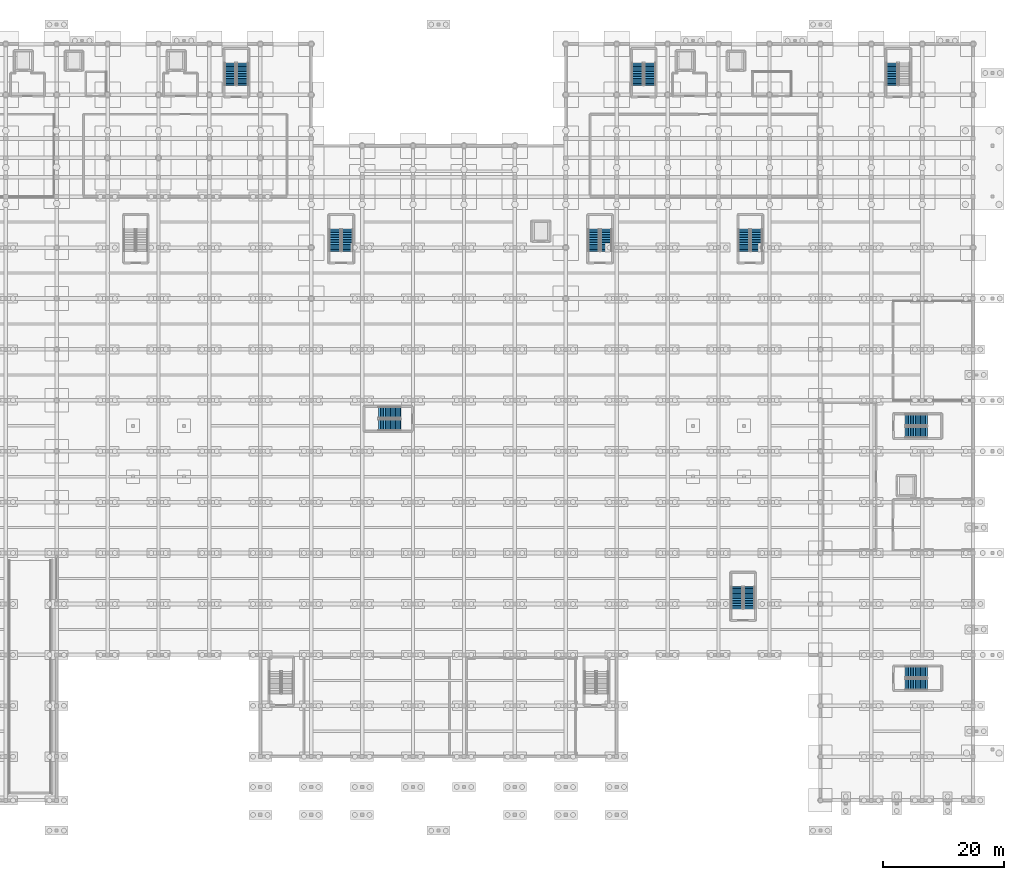
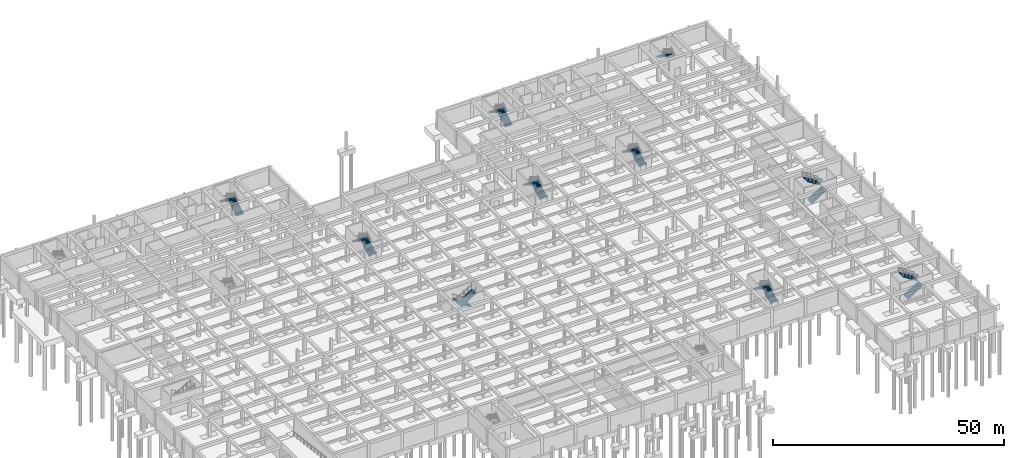
# One storey, part 32 of 51: 19 stair flights, 10 elements without a shape of their own.
"""IFC4 building model written with IfcOpenShell, lengths in metres."""

import ifcopenshell
import ifcopenshell.guid

model = None  # the IFC model being written
_history = None  # IfcOwnerHistory: only IFC2X3 demands one
_inside = {}  # id of a spatial element -> (the spatial element, [elements in it])
_under = {}  # id of a project, library or spatial element -> (it, [spatial elements below it])
_declared = {}  # id of a project -> (the project, [libraries it declares])
_typed = {}  # id of a type object -> (the type object, [elements of that type])
_made_of = {}  # id of a material, layer set ... -> (it, [elements and type objects made of it])


def new_model(schema):
    """Start an empty IFC model of exactly this schema.

    Asked for "IFC4X3", IfcOpenShell would pick the latest addendum, in which some entities
    have other attributes; the version numbers below select the first issue.
    IFC2X3 requires an IfcOwnerHistory on every rooted entity: one is made here for all.
    """
    global model, _history
    if schema == "IFC4X3":
        model = ifcopenshell.file(schema_version=(4, 3, 0, 0))
    else:
        model = ifcopenshell.file(schema=schema)
    _inside.clear()
    _under.clear()
    _declared.clear()
    _typed.clear()
    _made_of.clear()
    _history = None
    if model.schema == "IFC2X3":
        org = make("IfcOrganization", Name="unknown")
        user = make(
            "IfcPersonAndOrganization",
            ThePerson=make("IfcPerson", FamilyName="unknown"),
            TheOrganization=org,
        )
        app = make(
            "IfcApplication",
            ApplicationDeveloper=org,
            Version="unknown",
            ApplicationFullName="unknown",
            ApplicationIdentifier="unknown",
        )
        _history = make(
            "IfcOwnerHistory",
            OwningUser=user,
            OwningApplication=app,
            ChangeAction="ADDED",
            CreationDate=0,
        )
    return model


def make(cls, **values):
    """One entity of the class cls with the attributes given. An attribute that is None is left unset."""
    return model.create_entity(
        cls, **{name: value for name, value in values.items() if value is not None}
    )


def rooted(cls, **values):
    """An entity with a GlobalId (a new one), such as an element, a storey or a relation."""
    return make(cls, GlobalId=ifcopenshell.guid.new(), OwnerHistory=_history, **values)


def si_unit(unit_type, name, prefix=None):
    """IfcSIUnit, for example si_unit("LENGTHUNIT", "METRE", prefix="MILLI")."""
    return make("IfcSIUnit", UnitType=unit_type, Prefix=prefix, Name=name)


def assignment(units):
    """IfcUnitAssignment: the units of a project."""
    return None if units is None else make("IfcUnitAssignment", Units=units)


def point(xyz):
    """IfcCartesianPoint."""
    return None if xyz is None else make("IfcCartesianPoint", Coordinates=xyz)


def direction(xyz):
    """IfcDirection."""
    return None if xyz is None else make("IfcDirection", DirectionRatios=xyz)


def frame(location, z_axis=None, x_axis=None):
    """IfcAxis2Placement3D, a coordinate frame: its origin and axes. An axis left out is left unset."""
    return make(
        "IfcAxis2Placement3D",
        Location=point(location),
        Axis=direction(z_axis),
        RefDirection=direction(x_axis),
    )


def origin():
    """The frame at (0, 0, 0) with its axes left unset."""
    return frame((0.0, 0.0, 0.0))


def place(relative_to, where):
    """IfcLocalPlacement: puts the frame where relative to a parent placement (None: the world)."""
    return make(
        "IfcLocalPlacement", PlacementRelTo=relative_to, RelativePlacement=where
    )


def context(
    kind, dimensions, precision=None, world=None, true_north=None, identifier=None
):
    """IfcGeometricRepresentationContext, for example the 3D "Model" context."""
    return make(
        "IfcGeometricRepresentationContext",
        ContextIdentifier=identifier,
        ContextType=kind,
        CoordinateSpaceDimension=dimensions,
        Precision=precision,
        WorldCoordinateSystem=world,
        TrueNorth=true_north,
    )


def subcontext(parent, identifier, kind, view, scale=None):
    """IfcGeometricRepresentationSubContext, for example "Body" below "Model"."""
    return make(
        "IfcGeometricRepresentationSubContext",
        ContextIdentifier=identifier,
        ContextType=kind,
        ParentContext=parent,
        TargetScale=scale,
        TargetView=view,
    )


def project(units=None, contexts=None):
    """IfcProject with its units and contexts."""
    return rooted(
        "IfcProject",
        Name="project",
        RepresentationContexts=contexts,
        UnitsInContext=assignment(units),
    )


def spatial(cls, under=None, at=None, **own):
    """A site, building, storey or space (cls), placed at a placement, below another one or the project."""
    s = rooted(cls, ObjectPlacement=at, **own)
    if under is not None:
        _under.setdefault(under.id(), (under, []))[1].append(s)
    return s


def polyline(points):
    """IfcPolyline through the points."""
    return make("IfcPolyline", Points=[point(p) for p in points])


def outline(outer, holes=None, kind="AREA"):
    """IfcArbitraryClosedProfileDef: a profile drawn as a closed curve; with holes, ...WithVoids."""
    if holes is None:
        return make("IfcArbitraryClosedProfileDef", ProfileType=kind, OuterCurve=outer)
    return make(
        "IfcArbitraryProfileDefWithVoids",
        ProfileType=kind,
        OuterCurve=outer,
        InnerCurves=holes,
    )


def extrude(swept, where, along, depth):
    """IfcExtrudedAreaSolid: the profile swept, set in the frame where, extruded along a direction by depth."""
    return make(
        "IfcExtrudedAreaSolid",
        SweptArea=swept,
        Position=where,
        ExtrudedDirection=direction(along),
        Depth=depth,
    )


def shape(context_of_items, identifier, shape_type, items):
    """IfcShapeRepresentation: the items that make up one representation, for example the "Body"."""
    return make(
        "IfcShapeRepresentation",
        ContextOfItems=context_of_items,
        RepresentationIdentifier=identifier,
        RepresentationType=shape_type,
        Items=items,
    )


def material(Name=None, Category=None):
    """IfcMaterial."""
    return make("IfcMaterial", Name=Name, Category=Category)


def made_of(thing, what):
    """Note that an element or type object is made of a material, layer set ...; save() writes the relation."""
    if what is not None:
        _made_of.setdefault(what.id(), (what, []))[1].append(thing)
    return thing


def type_object(cls, material=None, **own):
    """A type object (cls), such as IfcWallType, which elements share."""
    return made_of(rooted(cls, **own), material)


def element(
    cls,
    number,
    at=None,
    inside=None,
    cuts=None,
    type_object=None,
    material=None,
    context=None,
    identifier="Body",
    shape_type=None,
    held_by="IfcProductDefinitionShape",
    body=None,
    shapes=None,
    **own,
):
    """One element of the class cls, such as IfcWall. Its Tag is "e" and its number.

    at: its placement. inside: the storey or other place that contains it. cuts: it is an
    opening in that element (IfcRelVoidsElement). A single representation is given by context,
    identifier, shape_type and body (its items); several are given by shapes. held_by: the class
    of the entity that holds the representations. save() writes the other relations.
    """
    e = rooted(cls, Tag="e%d" % number, ObjectPlacement=at, **own)
    if body is not None:
        shapes = [shape(context, identifier, shape_type, body)]
    if shapes is not None:
        e.Representation = make(held_by, Representations=shapes)
    if inside is not None:
        _inside.setdefault(inside.id(), (inside, []))[1].append(e)
    if cuts is not None:
        rooted(
            "IfcRelVoidsElement", RelatingBuildingElement=cuts, RelatedOpeningElement=e
        )
    if type_object is not None:
        _typed.setdefault(type_object.id(), (type_object, []))[1].append(e)
    return made_of(e, material)


def aggregate(whole, parts):
    """IfcRelAggregates: a whole, such as a stair, and the parts it consists of."""
    return rooted("IfcRelAggregates", RelatingObject=whole, RelatedObjects=parts)


def save(model, path):
    """Write the relations noted so far, then the file.

    IfcRelAggregates (storeys below a building ...), IfcRelContainedInSpatialStructure (elements
    in a storey), IfcRelDefinesByType, IfcRelAssociatesMaterial and IfcRelDeclares: one each for
    every whole, place, type object, material and project.
    """
    for whole, parts in _under.values():
        aggregate(whole, parts)
    for where, things in _inside.values():
        rooted(
            "IfcRelContainedInSpatialStructure",
            RelatedElements=things,
            RelatingStructure=where,
        )
    for kind, things in _typed.values():
        rooted("IfcRelDefinesByType", RelatedObjects=things, RelatingType=kind)
    for what, things in _made_of.values():
        rooted("IfcRelAssociatesMaterial", RelatedObjects=things, RelatingMaterial=what)
    for by, libraries in _declared.values():
        rooted("IfcRelDeclares", RelatingContext=by, RelatedDefinitions=libraries)
    model.write(path)


model = new_model("IFC4")

# Units and contexts
model_context = context("Model", 3, precision=1e-05, world=origin(), true_north=direction((0.0, 1.0)))
body_context = subcontext(model_context, "Body", "Model", "MODEL_VIEW")
ifc_project = project(units=[si_unit("LENGTHUNIT", "METRE"), si_unit("AREAUNIT", "SQUARE_METRE"), si_unit("VOLUMEUNIT", "CUBIC_METRE"), si_unit("PLANEANGLEUNIT", "RADIAN"), si_unit("MASSUNIT", "GRAM", prefix="KILO")], contexts=[model_context])

# Site, building, storey
site_placement = place(None, origin())
site = spatial("IfcSite", under=ifc_project, at=site_placement, CompositionType="ELEMENT")
building_placement = place(site_placement, origin())
building = spatial("IfcBuilding", under=site, at=building_placement, Name="Varncliffe General Hospital", CompositionType="ELEMENT")
storey_placement = place(building_placement, frame((0.0, 0.0, -4.800048828125)))
storey = spatial("IfcBuildingStorey", under=building, at=storey_placement, Name="B1", CompositionType="ELEMENT", Elevation=-4.800048828125)

# Stair, stair flights
ifc_material = material(Name="Concrete C35/45 (CSA A23.1 35 MPa)", Category="concrete")
stair_type = type_object("IfcStairType", Name="Hospital Stair Assembly ST-T01 (1850w-4800h)", PredefinedType="TWO_STRAIGHT_RUN_STAIR", material=ifc_material)
stair_1_placement = place(storey_placement, origin())
stair_1 = element("IfcStair", 1, at=stair_1_placement, inside=storey, type_object=stair_type, Name="B1 North-West Ward Exit Stair 2", PredefinedType="TWO_STRAIGHT_RUN_STAIR")
stair_flight_type = type_object("IfcStairFlightType", Name="Hospital Stair Flight FL-T01 (1850w-4800h)", PredefinedType="STRAIGHT", material=ifc_material)
stair_flight_1_placement = place(storey_placement, frame((55.875, 118.0, 0.0), z_axis=(0.0, 0.0, 1.0), x_axis=(0.0, 1.0, 0.0)))
stair_flight_1 = element("IfcStairFlight", 2, at=stair_flight_1_placement, type_object=stair_flight_type, Name="ST02 flight 1", NumberOfRisers=14, NumberOfTreads=13, PredefinedType="STRAIGHT", RiserHeight=0.171428571, TreadLength=0.28, context=body_context, shape_type="SweptSolid", body=[
    extrude(outline(polyline([(-0.02490234375, -0.14990234375), (-0.02490234375, 0.0), (0.0, 0.0), (0.0, 0.17138671875), (0.280029296875, 0.17138671875), (0.280029296875, 0.3427734375), (0.56005859375, 0.3427734375), (0.56005859375, 0.514404296875), (0.840087890625, 0.514404296875), (0.840087890625, 0.685791015625), (1.1201171875, 0.685791015625), (1.1201171875, 0.857177734375), (1.39990234375, 0.857177734375), (1.39990234375, 1.028564453125), (1.679931640625, 1.028564453125), (1.679931640625, 1.199951171875), (1.9599609375, 1.199951171875), (1.9599609375, 1.371337890625), (2.239990234375, 1.371337890625), (2.239990234375, 1.54296875), (2.52001953125, 1.54296875), (2.52001953125, 1.71435546875), (2.800048828125, 1.71435546875), (2.800048828125, 1.8857421875), (3.080078125, 1.8857421875), (3.080078125, 2.05712890625), (3.360107421875, 2.05712890625), (3.360107421875, 2.228515625), (3.639892578125, 2.228515625), (3.639892578125, 2.39990234375), (3.664794921875, 2.39990234375), (3.664794921875, 2.25), (3.639892578125, 2.052734375), (0.287109375, -0.14990234375), (-0.02490234375, -0.14990234375)])), frame((0.0, 0.925048828125, 0.0), z_axis=(0.0, -1.0, 0.0), x_axis=(1.0, 0.0, 0.0)), (0.0, 0.0, 1.0), 1.85009765625),
])
stair_flight_2_placement = place(storey_placement, frame((53.824951171875, 121.639892578125, 2.400146484375), z_axis=(0.0, 0.0, 1.0), x_axis=(0.0, -1.0, 0.0)))
stair_flight_2 = element("IfcStairFlight", 3, at=stair_flight_2_placement, type_object=stair_flight_type, Name="ST02 flight 2", NumberOfRisers=14, NumberOfTreads=13, PredefinedType="STRAIGHT", RiserHeight=0.171428571, TreadLength=0.28, context=body_context, shape_type="SweptSolid", body=[
    extrude(outline(polyline([(-0.02490234375, -0.14990234375), (-0.02490234375, 0.0), (0.0, 0.0), (0.0, 0.17138671875), (0.280029296875, 0.17138671875), (0.280029296875, 0.3427734375), (0.56005859375, 0.3427734375), (0.56005859375, 0.514404296875), (0.840087890625, 0.514404296875), (0.840087890625, 0.685791015625), (1.1201171875, 0.685791015625), (1.1201171875, 0.857177734375), (1.39990234375, 0.857177734375), (1.39990234375, 1.028564453125), (1.679931640625, 1.028564453125), (1.679931640625, 1.199951171875), (1.9599609375, 1.199951171875), (1.9599609375, 1.371337890625), (2.239990234375, 1.371337890625), (2.239990234375, 1.54296875), (2.52001953125, 1.54296875), (2.52001953125, 1.71435546875), (2.800048828125, 1.71435546875), (2.800048828125, 1.8857421875), (3.080078125, 1.8857421875), (3.080078125, 2.05712890625), (3.360107421875, 2.05712890625), (3.360107421875, 2.228515625), (3.639892578125, 2.228515625), (3.639892578125, 2.39990234375), (3.664794921875, 2.39990234375), (3.664794921875, 2.25), (3.639892578125, 2.052734375), (0.287109375, -0.14990234375), (-0.02490234375, -0.14990234375)])), frame((0.0, 0.925048828125, 0.0), z_axis=(0.0, -1.0, 0.0), x_axis=(1.0, 0.0, 0.0)), (0.0, 0.0, 1.0), 1.85009765625),
])
aggregate(stair_1, [stair_flight_1, stair_flight_2])

stair_2_placement = place(storey_placement, origin())
stair_2 = element("IfcStair", 4, at=stair_2_placement, inside=storey, type_object=stair_type, Name="B1 North-East Ward Exit Stair 3", PredefinedType="TWO_STRAIGHT_RUN_STAIR")
stair_flight_3_placement = place(storey_placement, frame((123.074951171875, 118.0, 0.0), z_axis=(0.0, 0.0, 1.0), x_axis=(0.0, 1.0, 0.0)))
stair_flight_3 = element("IfcStairFlight", 5, at=stair_flight_3_placement, type_object=stair_flight_type, Name="ST03 flight 1", NumberOfRisers=14, NumberOfTreads=13, PredefinedType="STRAIGHT", RiserHeight=0.171428571, TreadLength=0.28, context=body_context, shape_type="SweptSolid", body=[
    extrude(outline(polyline([(-0.02490234375, -0.14990234375), (-0.02490234375, 0.0), (0.0, 0.0), (0.0, 0.17138671875), (0.280029296875, 0.17138671875), (0.280029296875, 0.3427734375), (0.56005859375, 0.3427734375), (0.56005859375, 0.514404296875), (0.840087890625, 0.514404296875), (0.840087890625, 0.685791015625), (1.1201171875, 0.685791015625), (1.1201171875, 0.857177734375), (1.39990234375, 0.857177734375), (1.39990234375, 1.028564453125), (1.679931640625, 1.028564453125), (1.679931640625, 1.199951171875), (1.9599609375, 1.199951171875), (1.9599609375, 1.371337890625), (2.239990234375, 1.371337890625), (2.239990234375, 1.54296875), (2.52001953125, 1.54296875), (2.52001953125, 1.71435546875), (2.800048828125, 1.71435546875), (2.800048828125, 1.8857421875), (3.080078125, 1.8857421875), (3.080078125, 2.05712890625), (3.360107421875, 2.05712890625), (3.360107421875, 2.228515625), (3.639892578125, 2.228515625), (3.639892578125, 2.39990234375), (3.664794921875, 2.39990234375), (3.664794921875, 2.25), (3.639892578125, 2.052734375), (0.287109375, -0.14990234375), (-0.02490234375, -0.14990234375)])), frame((0.0, 0.925048828125, 0.0), z_axis=(0.0, -1.0, 0.0), x_axis=(1.0, 0.0, 0.0)), (0.0, 0.0, 1.0), 1.85009765625),
])
stair_flight_4_placement = place(storey_placement, frame((121.02490234375, 121.639892578125, 2.400146484375), z_axis=(0.0, 0.0, 1.0), x_axis=(0.0, -1.0, 0.0)))
stair_flight_4 = element("IfcStairFlight", 6, at=stair_flight_4_placement, type_object=stair_flight_type, Name="ST03 flight 2", NumberOfRisers=14, NumberOfTreads=13, PredefinedType="STRAIGHT", RiserHeight=0.171428571, TreadLength=0.28, context=body_context, shape_type="SweptSolid", body=[
    extrude(outline(polyline([(-0.02490234375, -0.14990234375), (-0.02490234375, 0.0), (0.0, 0.0), (0.0, 0.17138671875), (0.280029296875, 0.17138671875), (0.280029296875, 0.3427734375), (0.56005859375, 0.3427734375), (0.56005859375, 0.514404296875), (0.840087890625, 0.514404296875), (0.840087890625, 0.685791015625), (1.1201171875, 0.685791015625), (1.1201171875, 0.857177734375), (1.39990234375, 0.857177734375), (1.39990234375, 1.028564453125), (1.679931640625, 1.028564453125), (1.679931640625, 1.199951171875), (1.9599609375, 1.199951171875), (1.9599609375, 1.371337890625), (2.239990234375, 1.371337890625), (2.239990234375, 1.54296875), (2.52001953125, 1.54296875), (2.52001953125, 1.71435546875), (2.800048828125, 1.71435546875), (2.800048828125, 1.8857421875), (3.080078125, 1.8857421875), (3.080078125, 2.05712890625), (3.360107421875, 2.05712890625), (3.360107421875, 2.228515625), (3.639892578125, 2.228515625), (3.639892578125, 2.39990234375), (3.664794921875, 2.39990234375), (3.664794921875, 2.25), (3.639892578125, 2.052734375), (0.287109375, -0.14990234375), (-0.02490234375, -0.14990234375)])), frame((0.0, 0.925048828125, 0.0), z_axis=(0.0, -1.0, 0.0), x_axis=(1.0, 0.0, 0.0)), (0.0, 0.0, 1.0), 1.85009765625),
])
aggregate(stair_2, [stair_flight_3, stair_flight_4])

# Stair, stair flight
stair_3_placement = place(storey_placement, origin())
stair_3 = element("IfcStair", 7, at=stair_3_placement, inside=storey, type_object=stair_type, Name="B1 North-East Ward Exit Stair 4", PredefinedType="TWO_STRAIGHT_RUN_STAIR")
stair_flight_5_placement = place(storey_placement, frame((163.02490234375, 121.639892578125, 2.400146484375), z_axis=(0.0, 0.0, 1.0), x_axis=(0.0, -1.0, 0.0)))
stair_flight_5 = element("IfcStairFlight", 8, at=stair_flight_5_placement, type_object=stair_flight_type, Name="ST04 flight 2", NumberOfRisers=14, NumberOfTreads=13, PredefinedType="STRAIGHT", RiserHeight=0.171428571, TreadLength=0.28, context=body_context, shape_type="SweptSolid", body=[
    extrude(outline(polyline([(-0.02490234375, -0.14990234375), (-0.02490234375, 0.0), (0.0, 0.0), (0.0, 0.17138671875), (0.280029296875, 0.17138671875), (0.280029296875, 0.3427734375), (0.56005859375, 0.3427734375), (0.56005859375, 0.514404296875), (0.840087890625, 0.514404296875), (0.840087890625, 0.685791015625), (1.1201171875, 0.685791015625), (1.1201171875, 0.857177734375), (1.39990234375, 0.857177734375), (1.39990234375, 1.028564453125), (1.679931640625, 1.028564453125), (1.679931640625, 1.199951171875), (1.9599609375, 1.199951171875), (1.9599609375, 1.371337890625), (2.239990234375, 1.371337890625), (2.239990234375, 1.54296875), (2.52001953125, 1.54296875), (2.52001953125, 1.71435546875), (2.800048828125, 1.71435546875), (2.800048828125, 1.8857421875), (3.080078125, 1.8857421875), (3.080078125, 2.05712890625), (3.360107421875, 2.05712890625), (3.360107421875, 2.228515625), (3.639892578125, 2.228515625), (3.639892578125, 2.39990234375), (3.664794921875, 2.39990234375), (3.664794921875, 2.25), (3.639892578125, 2.052734375), (0.287109375, -0.14990234375), (-0.02490234375, -0.14990234375)])), frame((0.0, 0.925048828125, 0.0), z_axis=(0.0, -1.0, 0.0), x_axis=(1.0, 0.0, 0.0)), (0.0, 0.0, 1.0), 1.85009765625),
])
aggregate(stair_3, [stair_flight_5])

# Stair, stair flights
stair_4_placement = place(storey_placement, origin())
stair_4 = element("IfcStair", 9, at=stair_4_placement, inside=storey, type_object=stair_type, Name="B1 Surgical and Helipad Exit Stair 6", PredefinedType="TWO_STRAIGHT_RUN_STAIR")
stair_flight_6_placement = place(storey_placement, frame((115.875, 90.60009765625, 0.0), z_axis=(0.0, 0.0, 1.0), x_axis=(0.0, 1.0, 0.0)))
stair_flight_6 = element("IfcStairFlight", 10, at=stair_flight_6_placement, type_object=stair_flight_type, Name="ST06 flight 1", NumberOfRisers=14, NumberOfTreads=13, PredefinedType="STRAIGHT", RiserHeight=0.171428571, TreadLength=0.28, context=body_context, shape_type="SweptSolid", body=[
    extrude(outline(polyline([(-0.02490234375, -0.14990234375), (-0.02490234375, 0.0), (0.0, 0.0), (0.0, 0.17138671875), (0.280029296875, 0.17138671875), (0.280029296875, 0.3427734375), (0.56005859375, 0.3427734375), (0.56005859375, 0.514404296875), (0.840087890625, 0.514404296875), (0.840087890625, 0.685791015625), (1.1201171875, 0.685791015625), (1.1201171875, 0.857177734375), (1.39990234375, 0.857177734375), (1.39990234375, 1.028564453125), (1.679931640625, 1.028564453125), (1.679931640625, 1.199951171875), (1.9599609375, 1.199951171875), (1.9599609375, 1.371337890625), (2.239990234375, 1.371337890625), (2.239990234375, 1.54296875), (2.52001953125, 1.54296875), (2.52001953125, 1.71435546875), (2.800048828125, 1.71435546875), (2.800048828125, 1.8857421875), (3.080078125, 1.8857421875), (3.080078125, 2.05712890625), (3.360107421875, 2.05712890625), (3.360107421875, 2.228515625), (3.639892578125, 2.228515625), (3.639892578125, 2.39990234375), (3.664794921875, 2.39990234375), (3.664794921875, 2.25), (3.639892578125, 2.052734375), (0.287109375, -0.14990234375), (-0.02490234375, -0.14990234375)])), frame((0.0, 0.925048828125, 0.0), z_axis=(0.0, -1.0, 0.0), x_axis=(1.0, 0.0, 0.0)), (0.0, 0.0, 1.0), 1.85009765625),
])
stair_flight_7_placement = place(storey_placement, frame((113.824951171875, 94.239990234375, 2.400146484375), z_axis=(0.0, 0.0, 1.0), x_axis=(0.0, -1.0, 0.0)))
stair_flight_7 = element("IfcStairFlight", 11, at=stair_flight_7_placement, type_object=stair_flight_type, Name="ST06 flight 2", NumberOfRisers=14, NumberOfTreads=13, PredefinedType="STRAIGHT", RiserHeight=0.171428571, TreadLength=0.28, context=body_context, shape_type="SweptSolid", body=[
    extrude(outline(polyline([(-0.02490234375, -0.14990234375), (-0.02490234375, 0.0), (0.0, 0.0), (0.0, 0.17138671875), (0.280029296875, 0.17138671875), (0.280029296875, 0.3427734375), (0.56005859375, 0.3427734375), (0.56005859375, 0.514404296875), (0.840087890625, 0.514404296875), (0.840087890625, 0.685791015625), (1.1201171875, 0.685791015625), (1.1201171875, 0.857177734375), (1.39990234375, 0.857177734375), (1.39990234375, 1.028564453125), (1.679931640625, 1.028564453125), (1.679931640625, 1.199951171875), (1.9599609375, 1.199951171875), (1.9599609375, 1.371337890625), (2.239990234375, 1.371337890625), (2.239990234375, 1.54296875), (2.52001953125, 1.54296875), (2.52001953125, 1.71435546875), (2.800048828125, 1.71435546875), (2.800048828125, 1.8857421875), (3.080078125, 1.8857421875), (3.080078125, 2.05712890625), (3.360107421875, 2.05712890625), (3.360107421875, 2.228515625), (3.639892578125, 2.228515625), (3.639892578125, 2.39990234375), (3.664794921875, 2.39990234375), (3.664794921875, 2.25), (3.639892578125, 2.052734375), (0.287109375, -0.14990234375), (-0.02490234375, -0.14990234375)])), frame((0.0, 0.925048828125, 0.0), z_axis=(0.0, -1.0, 0.0), x_axis=(1.0, 0.0, 0.0)), (0.0, 0.0, 1.0), 1.85009765625),
])
aggregate(stair_4, [stair_flight_6, stair_flight_7])

stair_5_placement = place(storey_placement, origin())
stair_5 = element("IfcStair", 12, at=stair_5_placement, inside=storey, type_object=stair_type, Name="B1 Outpatient East Exit Stair 7", PredefinedType="TWO_STRAIGHT_RUN_STAIR")
stair_flight_8_placement = place(storey_placement, frame((165.199951171875, 60.72509765625, 0.0), z_axis=(0.0, 0.0, 1.0), x_axis=(1.0, 0.0, 0.0)))
stair_flight_8 = element("IfcStairFlight", 13, at=stair_flight_8_placement, type_object=stair_flight_type, Name="ST07 flight 1", NumberOfRisers=14, NumberOfTreads=13, PredefinedType="STRAIGHT", RiserHeight=0.171428571, TreadLength=0.28, context=body_context, shape_type="SweptSolid", body=[
    extrude(outline(polyline([(-0.02490234375, -0.14990234375), (-0.02490234375, 0.0), (0.0, 0.0), (0.0, 0.17138671875), (0.280029296875, 0.17138671875), (0.280029296875, 0.3427734375), (0.56005859375, 0.3427734375), (0.56005859375, 0.514404296875), (0.840087890625, 0.514404296875), (0.840087890625, 0.685791015625), (1.1201171875, 0.685791015625), (1.1201171875, 0.857177734375), (1.39990234375, 0.857177734375), (1.39990234375, 1.028564453125), (1.679931640625, 1.028564453125), (1.679931640625, 1.199951171875), (1.9599609375, 1.199951171875), (1.9599609375, 1.371337890625), (2.239990234375, 1.371337890625), (2.239990234375, 1.54296875), (2.52001953125, 1.54296875), (2.52001953125, 1.71435546875), (2.800048828125, 1.71435546875), (2.800048828125, 1.8857421875), (3.080078125, 1.8857421875), (3.080078125, 2.05712890625), (3.360107421875, 2.05712890625), (3.360107421875, 2.228515625), (3.639892578125, 2.228515625), (3.639892578125, 2.39990234375), (3.664794921875, 2.39990234375), (3.664794921875, 2.25), (3.639892578125, 2.052734375), (0.287109375, -0.14990234375), (-0.02490234375, -0.14990234375)])), frame((0.0, 0.925048828125, 0.0), z_axis=(0.0, -1.0, 0.0), x_axis=(1.0, 0.0, 0.0)), (0.0, 0.0, 1.0), 1.85009765625),
])
stair_flight_9_placement = place(storey_placement, frame((168.840087890625, 62.77490234375, 2.400146484375), z_axis=(0.0, 0.0, 1.0), x_axis=(-1.0, 0.0, 0.0)))
stair_flight_9 = element("IfcStairFlight", 14, at=stair_flight_9_placement, type_object=stair_flight_type, Name="ST07 flight 2", NumberOfRisers=14, NumberOfTreads=13, PredefinedType="STRAIGHT", RiserHeight=0.171428571, TreadLength=0.28, context=body_context, shape_type="SweptSolid", body=[
    extrude(outline(polyline([(-0.02490234375, -0.14990234375), (-0.02490234375, 0.0), (0.0, 0.0), (0.0, 0.17138671875), (0.280029296875, 0.17138671875), (0.280029296875, 0.3427734375), (0.56005859375, 0.3427734375), (0.56005859375, 0.514404296875), (0.840087890625, 0.514404296875), (0.840087890625, 0.685791015625), (1.1201171875, 0.685791015625), (1.1201171875, 0.857177734375), (1.39990234375, 0.857177734375), (1.39990234375, 1.028564453125), (1.679931640625, 1.028564453125), (1.679931640625, 1.199951171875), (1.9599609375, 1.199951171875), (1.9599609375, 1.371337890625), (2.239990234375, 1.371337890625), (2.239990234375, 1.54296875), (2.52001953125, 1.54296875), (2.52001953125, 1.71435546875), (2.800048828125, 1.71435546875), (2.800048828125, 1.8857421875), (3.080078125, 1.8857421875), (3.080078125, 2.05712890625), (3.360107421875, 2.05712890625), (3.360107421875, 2.228515625), (3.639892578125, 2.228515625), (3.639892578125, 2.39990234375), (3.664794921875, 2.39990234375), (3.664794921875, 2.25), (3.639892578125, 2.052734375), (0.287109375, -0.14990234375), (-0.02490234375, -0.14990234375)])), frame((0.0, 0.925048828125, 0.0), z_axis=(0.0, -1.0, 0.0), x_axis=(1.0, 0.0, 0.0)), (0.0, 0.0, 1.0), 1.85009765625),
])
aggregate(stair_5, [stair_flight_8, stair_flight_9])

stair_6_placement = place(storey_placement, origin())
stair_6 = element("IfcStair", 15, at=stair_6_placement, inside=storey, type_object=stair_type, Name="B1 Outpatient South-East Exit Stair 11", PredefinedType="TWO_STRAIGHT_RUN_STAIR")
stair_flight_10_placement = place(storey_placement, frame((165.199951171875, 19.125, 0.0), z_axis=(0.0, 0.0, 1.0), x_axis=(1.0, 0.0, 0.0)))
stair_flight_10 = element("IfcStairFlight", 16, at=stair_flight_10_placement, type_object=stair_flight_type, Name="ST11 flight 1", NumberOfRisers=14, NumberOfTreads=13, PredefinedType="STRAIGHT", RiserHeight=0.171428571, TreadLength=0.28, context=body_context, shape_type="SweptSolid", body=[
    extrude(outline(polyline([(-0.02490234375, -0.14990234375), (-0.02490234375, 0.0), (0.0, 0.0), (0.0, 0.17138671875), (0.280029296875, 0.17138671875), (0.280029296875, 0.3427734375), (0.56005859375, 0.3427734375), (0.56005859375, 0.514404296875), (0.840087890625, 0.514404296875), (0.840087890625, 0.685791015625), (1.1201171875, 0.685791015625), (1.1201171875, 0.857177734375), (1.39990234375, 0.857177734375), (1.39990234375, 1.028564453125), (1.679931640625, 1.028564453125), (1.679931640625, 1.199951171875), (1.9599609375, 1.199951171875), (1.9599609375, 1.371337890625), (2.239990234375, 1.371337890625), (2.239990234375, 1.54296875), (2.52001953125, 1.54296875), (2.52001953125, 1.71435546875), (2.800048828125, 1.71435546875), (2.800048828125, 1.8857421875), (3.080078125, 1.8857421875), (3.080078125, 2.05712890625), (3.360107421875, 2.05712890625), (3.360107421875, 2.228515625), (3.639892578125, 2.228515625), (3.639892578125, 2.39990234375), (3.664794921875, 2.39990234375), (3.664794921875, 2.25), (3.639892578125, 2.052734375), (0.287109375, -0.14990234375), (-0.02490234375, -0.14990234375)])), frame((0.0, 0.925048828125, 0.0), z_axis=(0.0, -1.0, 0.0), x_axis=(1.0, 0.0, 0.0)), (0.0, 0.0, 1.0), 1.85009765625),
])
stair_flight_11_placement = place(storey_placement, frame((168.840087890625, 21.175048828125, 2.400146484375), z_axis=(0.0, 0.0, 1.0), x_axis=(-1.0, 0.0, 0.0)))
stair_flight_11 = element("IfcStairFlight", 17, at=stair_flight_11_placement, type_object=stair_flight_type, Name="ST11 flight 2", NumberOfRisers=14, NumberOfTreads=13, PredefinedType="STRAIGHT", RiserHeight=0.171428571, TreadLength=0.28, context=body_context, shape_type="SweptSolid", body=[
    extrude(outline(polyline([(-0.02490234375, -0.14990234375), (-0.02490234375, 0.0), (0.0, 0.0), (0.0, 0.17138671875), (0.280029296875, 0.17138671875), (0.280029296875, 0.3427734375), (0.56005859375, 0.3427734375), (0.56005859375, 0.514404296875), (0.840087890625, 0.514404296875), (0.840087890625, 0.685791015625), (1.1201171875, 0.685791015625), (1.1201171875, 0.857177734375), (1.39990234375, 0.857177734375), (1.39990234375, 1.028564453125), (1.679931640625, 1.028564453125), (1.679931640625, 1.199951171875), (1.9599609375, 1.199951171875), (1.9599609375, 1.371337890625), (2.239990234375, 1.371337890625), (2.239990234375, 1.54296875), (2.52001953125, 1.54296875), (2.52001953125, 1.71435546875), (2.800048828125, 1.71435546875), (2.800048828125, 1.8857421875), (3.080078125, 1.8857421875), (3.080078125, 2.05712890625), (3.360107421875, 2.05712890625), (3.360107421875, 2.228515625), (3.639892578125, 2.228515625), (3.639892578125, 2.39990234375), (3.664794921875, 2.39990234375), (3.664794921875, 2.25), (3.639892578125, 2.052734375), (0.287109375, -0.14990234375), (-0.02490234375, -0.14990234375)])), frame((0.0, 0.925048828125, 0.0), z_axis=(0.0, -1.0, 0.0), x_axis=(1.0, 0.0, 0.0)), (0.0, 0.0, 1.0), 1.85009765625),
])
aggregate(stair_6, [stair_flight_10, stair_flight_11])

stair_7_placement = place(storey_placement, origin())
stair_7 = element("IfcStair", 18, at=stair_7_placement, inside=storey, type_object=stair_type, Name="B1 Surgical West Exit Stair 12", PredefinedType="TWO_STRAIGHT_RUN_STAIR")
stair_flight_12_placement = place(storey_placement, frame((73.175048828125, 90.60009765625, 0.0), z_axis=(0.0, 0.0, 1.0), x_axis=(0.0, 1.0, 0.0)))
stair_flight_12 = element("IfcStairFlight", 19, at=stair_flight_12_placement, type_object=stair_flight_type, Name="ST12 flight 1", NumberOfRisers=14, NumberOfTreads=13, PredefinedType="STRAIGHT", RiserHeight=0.171428571, TreadLength=0.28, context=body_context, shape_type="SweptSolid", body=[
    extrude(outline(polyline([(-0.02490234375, -0.14990234375), (-0.02490234375, 0.0), (0.0, 0.0), (0.0, 0.17138671875), (0.280029296875, 0.17138671875), (0.280029296875, 0.3427734375), (0.56005859375, 0.3427734375), (0.56005859375, 0.514404296875), (0.840087890625, 0.514404296875), (0.840087890625, 0.685791015625), (1.1201171875, 0.685791015625), (1.1201171875, 0.857177734375), (1.39990234375, 0.857177734375), (1.39990234375, 1.028564453125), (1.679931640625, 1.028564453125), (1.679931640625, 1.199951171875), (1.9599609375, 1.199951171875), (1.9599609375, 1.371337890625), (2.239990234375, 1.371337890625), (2.239990234375, 1.54296875), (2.52001953125, 1.54296875), (2.52001953125, 1.71435546875), (2.800048828125, 1.71435546875), (2.800048828125, 1.8857421875), (3.080078125, 1.8857421875), (3.080078125, 2.05712890625), (3.360107421875, 2.05712890625), (3.360107421875, 2.228515625), (3.639892578125, 2.228515625), (3.639892578125, 2.39990234375), (3.664794921875, 2.39990234375), (3.664794921875, 2.25), (3.639892578125, 2.052734375), (0.287109375, -0.14990234375), (-0.02490234375, -0.14990234375)])), frame((0.0, 0.925048828125, 0.0), z_axis=(0.0, -1.0, 0.0), x_axis=(1.0, 0.0, 0.0)), (0.0, 0.0, 1.0), 1.85009765625),
])
stair_flight_13_placement = place(storey_placement, frame((71.125, 94.239990234375, 2.400146484375), z_axis=(0.0, 0.0, 1.0), x_axis=(0.0, -1.0, 0.0)))
stair_flight_13 = element("IfcStairFlight", 20, at=stair_flight_13_placement, type_object=stair_flight_type, Name="ST12 flight 2", NumberOfRisers=14, NumberOfTreads=13, PredefinedType="STRAIGHT", RiserHeight=0.171428571, TreadLength=0.28, context=body_context, shape_type="SweptSolid", body=[
    extrude(outline(polyline([(-0.02490234375, -0.14990234375), (-0.02490234375, 0.0), (0.0, 0.0), (0.0, 0.17138671875), (0.280029296875, 0.17138671875), (0.280029296875, 0.3427734375), (0.56005859375, 0.3427734375), (0.56005859375, 0.514404296875), (0.840087890625, 0.514404296875), (0.840087890625, 0.685791015625), (1.1201171875, 0.685791015625), (1.1201171875, 0.857177734375), (1.39990234375, 0.857177734375), (1.39990234375, 1.028564453125), (1.679931640625, 1.028564453125), (1.679931640625, 1.199951171875), (1.9599609375, 1.199951171875), (1.9599609375, 1.371337890625), (2.239990234375, 1.371337890625), (2.239990234375, 1.54296875), (2.52001953125, 1.54296875), (2.52001953125, 1.71435546875), (2.800048828125, 1.71435546875), (2.800048828125, 1.8857421875), (3.080078125, 1.8857421875), (3.080078125, 2.05712890625), (3.360107421875, 2.05712890625), (3.360107421875, 2.228515625), (3.639892578125, 2.228515625), (3.639892578125, 2.39990234375), (3.664794921875, 2.39990234375), (3.664794921875, 2.25), (3.639892578125, 2.052734375), (0.287109375, -0.14990234375), (-0.02490234375, -0.14990234375)])), frame((0.0, 0.925048828125, 0.0), z_axis=(0.0, -1.0, 0.0), x_axis=(1.0, 0.0, 0.0)), (0.0, 0.0, 1.0), 1.85009765625),
])
aggregate(stair_7, [stair_flight_12, stair_flight_13])

stair_8_placement = place(storey_placement, origin())
stair_8 = element("IfcStair", 21, at=stair_8_placement, inside=storey, type_object=stair_type, Name="B1 East-Central Clinical Exit Stair 14", PredefinedType="TWO_STRAIGHT_RUN_STAIR")
stair_flight_14_placement = place(storey_placement, frame((140.675048828125, 90.60009765625, 0.0), z_axis=(0.0, 0.0, 1.0), x_axis=(0.0, 1.0, 0.0)))
stair_flight_14 = element("IfcStairFlight", 22, at=stair_flight_14_placement, type_object=stair_flight_type, Name="ST14 flight 1", NumberOfRisers=14, NumberOfTreads=13, PredefinedType="STRAIGHT", RiserHeight=0.171428571, TreadLength=0.28, context=body_context, shape_type="SweptSolid", body=[
    extrude(outline(polyline([(-0.02490234375, -0.14990234375), (-0.02490234375, 0.0), (0.0, 0.0), (0.0, 0.17138671875), (0.280029296875, 0.17138671875), (0.280029296875, 0.3427734375), (0.56005859375, 0.3427734375), (0.56005859375, 0.514404296875), (0.840087890625, 0.514404296875), (0.840087890625, 0.685791015625), (1.1201171875, 0.685791015625), (1.1201171875, 0.857177734375), (1.39990234375, 0.857177734375), (1.39990234375, 1.028564453125), (1.679931640625, 1.028564453125), (1.679931640625, 1.199951171875), (1.9599609375, 1.199951171875), (1.9599609375, 1.371337890625), (2.239990234375, 1.371337890625), (2.239990234375, 1.54296875), (2.52001953125, 1.54296875), (2.52001953125, 1.71435546875), (2.800048828125, 1.71435546875), (2.800048828125, 1.8857421875), (3.080078125, 1.8857421875), (3.080078125, 2.05712890625), (3.360107421875, 2.05712890625), (3.360107421875, 2.228515625), (3.639892578125, 2.228515625), (3.639892578125, 2.39990234375), (3.664794921875, 2.39990234375), (3.664794921875, 2.25), (3.639892578125, 2.052734375), (0.287109375, -0.14990234375), (-0.02490234375, -0.14990234375)])), frame((0.0, 0.925048828125, 0.0), z_axis=(0.0, -1.0, 0.0), x_axis=(1.0, 0.0, 0.0)), (0.0, 0.0, 1.0), 1.85009765625),
])
stair_flight_15_placement = place(storey_placement, frame((138.625, 94.239990234375, 2.400146484375), z_axis=(0.0, 0.0, 1.0), x_axis=(0.0, -1.0, 0.0)))
stair_flight_15 = element("IfcStairFlight", 23, at=stair_flight_15_placement, type_object=stair_flight_type, Name="ST14 flight 2", NumberOfRisers=14, NumberOfTreads=13, PredefinedType="STRAIGHT", RiserHeight=0.171428571, TreadLength=0.28, context=body_context, shape_type="SweptSolid", body=[
    extrude(outline(polyline([(-0.02490234375, -0.14990234375), (-0.02490234375, 0.0), (0.0, 0.0), (0.0, 0.17138671875), (0.280029296875, 0.17138671875), (0.280029296875, 0.3427734375), (0.56005859375, 0.3427734375), (0.56005859375, 0.514404296875), (0.840087890625, 0.514404296875), (0.840087890625, 0.685791015625), (1.1201171875, 0.685791015625), (1.1201171875, 0.857177734375), (1.39990234375, 0.857177734375), (1.39990234375, 1.028564453125), (1.679931640625, 1.028564453125), (1.679931640625, 1.199951171875), (1.9599609375, 1.199951171875), (1.9599609375, 1.371337890625), (2.239990234375, 1.371337890625), (2.239990234375, 1.54296875), (2.52001953125, 1.54296875), (2.52001953125, 1.71435546875), (2.800048828125, 1.71435546875), (2.800048828125, 1.8857421875), (3.080078125, 1.8857421875), (3.080078125, 2.05712890625), (3.360107421875, 2.05712890625), (3.360107421875, 2.228515625), (3.639892578125, 2.228515625), (3.639892578125, 2.39990234375), (3.664794921875, 2.39990234375), (3.664794921875, 2.25), (3.639892578125, 2.052734375), (0.287109375, -0.14990234375), (-0.02490234375, -0.14990234375)])), frame((0.0, 0.925048828125, 0.0), z_axis=(0.0, -1.0, 0.0), x_axis=(1.0, 0.0, 0.0)), (0.0, 0.0, 1.0), 1.85009765625),
])
aggregate(stair_8, [stair_flight_14, stair_flight_15])

stair_9_placement = place(storey_placement, origin())
stair_9 = element("IfcStair", 24, at=stair_9_placement, inside=storey, type_object=stair_type, Name="B1 Outpatient Cloister Exit Stair 15", PredefinedType="TWO_STRAIGHT_RUN_STAIR")
stair_flight_16_placement = place(storey_placement, frame((139.47509765625, 31.60009765625, 0.0), z_axis=(0.0, 0.0, 1.0), x_axis=(0.0, 1.0, 0.0)))
stair_flight_16 = element("IfcStairFlight", 25, at=stair_flight_16_placement, type_object=stair_flight_type, Name="ST15 flight 1", NumberOfRisers=14, NumberOfTreads=13, PredefinedType="STRAIGHT", RiserHeight=0.171428571, TreadLength=0.28, context=body_context, shape_type="SweptSolid", body=[
    extrude(outline(polyline([(-0.02490234375, -0.14990234375), (-0.02490234375, 0.0), (0.0, 0.0), (0.0, 0.17138671875), (0.280029296875, 0.17138671875), (0.280029296875, 0.3427734375), (0.56005859375, 0.3427734375), (0.56005859375, 0.514404296875), (0.840087890625, 0.514404296875), (0.840087890625, 0.685791015625), (1.1201171875, 0.685791015625), (1.1201171875, 0.857177734375), (1.39990234375, 0.857177734375), (1.39990234375, 1.028564453125), (1.679931640625, 1.028564453125), (1.679931640625, 1.199951171875), (1.9599609375, 1.199951171875), (1.9599609375, 1.371337890625), (2.239990234375, 1.371337890625), (2.239990234375, 1.54296875), (2.52001953125, 1.54296875), (2.52001953125, 1.71435546875), (2.800048828125, 1.71435546875), (2.800048828125, 1.8857421875), (3.080078125, 1.8857421875), (3.080078125, 2.05712890625), (3.360107421875, 2.05712890625), (3.360107421875, 2.228515625), (3.639892578125, 2.228515625), (3.639892578125, 2.39990234375), (3.664794921875, 2.39990234375), (3.664794921875, 2.25), (3.639892578125, 2.052734375), (0.287109375, -0.14990234375), (-0.02490234375, -0.14990234375)])), frame((0.0, 0.925048828125, 0.0), z_axis=(0.0, -1.0, 0.0), x_axis=(1.0, 0.0, 0.0)), (0.0, 0.0, 1.0), 1.85009765625),
])
stair_flight_17_placement = place(storey_placement, frame((137.425048828125, 35.239990234375, 2.400146484375), z_axis=(0.0, 0.0, 1.0), x_axis=(0.0, -1.0, 0.0)))
stair_flight_17 = element("IfcStairFlight", 26, at=stair_flight_17_placement, type_object=stair_flight_type, Name="ST15 flight 2", NumberOfRisers=14, NumberOfTreads=13, PredefinedType="STRAIGHT", RiserHeight=0.171428571, TreadLength=0.28, context=body_context, shape_type="SweptSolid", body=[
    extrude(outline(polyline([(-0.02490234375, -0.14990234375), (-0.02490234375, 0.0), (0.0, 0.0), (0.0, 0.17138671875), (0.280029296875, 0.17138671875), (0.280029296875, 0.3427734375), (0.56005859375, 0.3427734375), (0.56005859375, 0.514404296875), (0.840087890625, 0.514404296875), (0.840087890625, 0.685791015625), (1.1201171875, 0.685791015625), (1.1201171875, 0.857177734375), (1.39990234375, 0.857177734375), (1.39990234375, 1.028564453125), (1.679931640625, 1.028564453125), (1.679931640625, 1.199951171875), (1.9599609375, 1.199951171875), (1.9599609375, 1.371337890625), (2.239990234375, 1.371337890625), (2.239990234375, 1.54296875), (2.52001953125, 1.54296875), (2.52001953125, 1.71435546875), (2.800048828125, 1.71435546875), (2.800048828125, 1.8857421875), (3.080078125, 1.8857421875), (3.080078125, 2.05712890625), (3.360107421875, 2.05712890625), (3.360107421875, 2.228515625), (3.639892578125, 2.228515625), (3.639892578125, 2.39990234375), (3.664794921875, 2.39990234375), (3.664794921875, 2.25), (3.639892578125, 2.052734375), (0.287109375, -0.14990234375), (-0.02490234375, -0.14990234375)])), frame((0.0, 0.925048828125, 0.0), z_axis=(0.0, -1.0, 0.0), x_axis=(1.0, 0.0, 0.0)), (0.0, 0.0, 1.0), 1.85009765625),
])
aggregate(stair_9, [stair_flight_16, stair_flight_17])

stair_10_placement = place(storey_placement, origin())
stair_10 = element("IfcStair", 27, at=stair_10_placement, inside=storey, type_object=stair_type, Name="B1 Winter-Garden Concourse Exit Stair 16", PredefinedType="TWO_STRAIGHT_RUN_STAIR")
stair_flight_18_placement = place(storey_placement, frame((81.949951171875, 63.97509765625, 0.0), z_axis=(0.0, 0.0, 1.0), x_axis=(-1.0, 0.0, 0.0)))
stair_flight_18 = element("IfcStairFlight", 28, at=stair_flight_18_placement, type_object=stair_flight_type, Name="ST16 flight 1", NumberOfRisers=14, NumberOfTreads=13, PredefinedType="STRAIGHT", RiserHeight=0.171428571, TreadLength=0.28, context=body_context, shape_type="SweptSolid", body=[
    extrude(outline(polyline([(-0.02490234375, -0.14990234375), (-0.02490234375, 0.0), (0.0, 0.0), (0.0, 0.17138671875), (0.280029296875, 0.17138671875), (0.280029296875, 0.3427734375), (0.56005859375, 0.3427734375), (0.56005859375, 0.514404296875), (0.840087890625, 0.514404296875), (0.840087890625, 0.685791015625), (1.1201171875, 0.685791015625), (1.1201171875, 0.857177734375), (1.39990234375, 0.857177734375), (1.39990234375, 1.028564453125), (1.679931640625, 1.028564453125), (1.679931640625, 1.199951171875), (1.9599609375, 1.199951171875), (1.9599609375, 1.371337890625), (2.239990234375, 1.371337890625), (2.239990234375, 1.54296875), (2.52001953125, 1.54296875), (2.52001953125, 1.71435546875), (2.800048828125, 1.71435546875), (2.800048828125, 1.8857421875), (3.080078125, 1.8857421875), (3.080078125, 2.05712890625), (3.360107421875, 2.05712890625), (3.360107421875, 2.228515625), (3.639892578125, 2.228515625), (3.639892578125, 2.39990234375), (3.664794921875, 2.39990234375), (3.664794921875, 2.25), (3.639892578125, 2.052734375), (0.287109375, -0.14990234375), (-0.02490234375, -0.14990234375)])), frame((0.0, 0.925048828125, 0.0), z_axis=(0.0, -1.0, 0.0), x_axis=(1.0, 0.0, 0.0)), (0.0, 0.0, 1.0), 1.85009765625),
])
stair_flight_19_placement = place(storey_placement, frame((78.31005859375, 61.925048828125, 2.400146484375), z_axis=(0.0, 0.0, 1.0), x_axis=(1.0, 0.0, 0.0)))
stair_flight_19 = element("IfcStairFlight", 29, at=stair_flight_19_placement, type_object=stair_flight_type, Name="ST16 flight 2", NumberOfRisers=14, NumberOfTreads=13, PredefinedType="STRAIGHT", RiserHeight=0.171428571, TreadLength=0.28, context=body_context, shape_type="SweptSolid", body=[
    extrude(outline(polyline([(-0.02490234375, -0.14990234375), (-0.02490234375, 0.0), (0.0, 0.0), (0.0, 0.17138671875), (0.280029296875, 0.17138671875), (0.280029296875, 0.3427734375), (0.56005859375, 0.3427734375), (0.56005859375, 0.514404296875), (0.840087890625, 0.514404296875), (0.840087890625, 0.685791015625), (1.1201171875, 0.685791015625), (1.1201171875, 0.857177734375), (1.39990234375, 0.857177734375), (1.39990234375, 1.028564453125), (1.679931640625, 1.028564453125), (1.679931640625, 1.199951171875), (1.9599609375, 1.199951171875), (1.9599609375, 1.371337890625), (2.239990234375, 1.371337890625), (2.239990234375, 1.54296875), (2.52001953125, 1.54296875), (2.52001953125, 1.71435546875), (2.800048828125, 1.71435546875), (2.800048828125, 1.8857421875), (3.080078125, 1.8857421875), (3.080078125, 2.05712890625), (3.360107421875, 2.05712890625), (3.360107421875, 2.228515625), (3.639892578125, 2.228515625), (3.639892578125, 2.39990234375), (3.664794921875, 2.39990234375), (3.664794921875, 2.25), (3.639892578125, 2.052734375), (0.287109375, -0.14990234375), (-0.02490234375, -0.14990234375)])), frame((0.0, 0.925048828125, 0.0), z_axis=(0.0, -1.0, 0.0), x_axis=(1.0, 0.0, 0.0)), (0.0, 0.0, 1.0), 1.85009765625),
])
aggregate(stair_10, [stair_flight_18, stair_flight_19])

save(model, "model.ifc")
